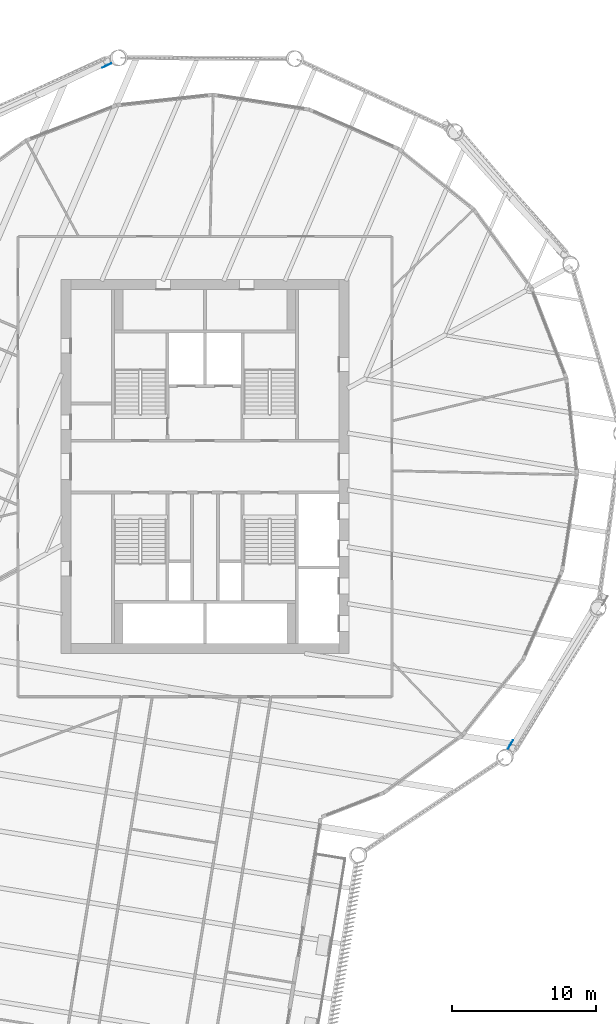
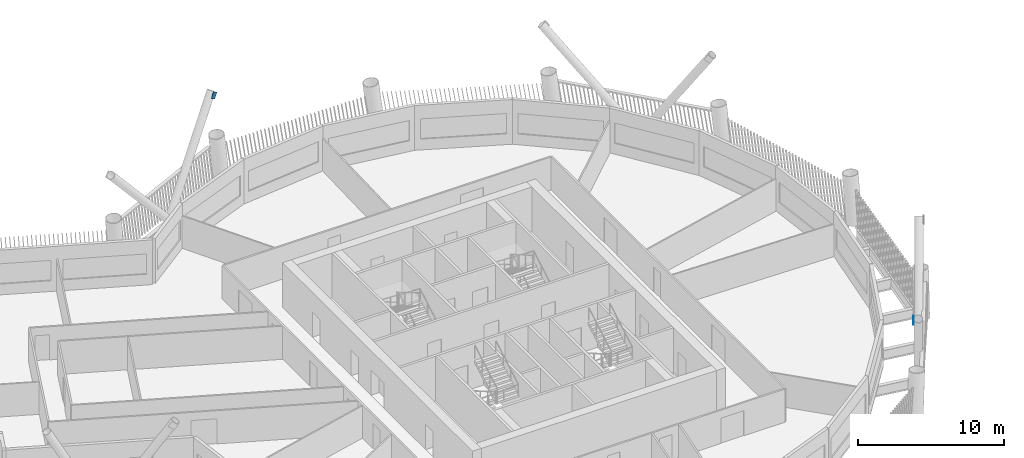
# One storey, part 13 of 22: 2 discrete accessories.
"""IFC4 building model written with IfcOpenShell, lengths in metres."""

from ifc_helpers import new_model, si_unit, direction, frame, origin, origin_2d, place, context, subcontext, project, spatial, rectangle, extrude, material, material_profile, profile_set, type_object, element, save


model = new_model("IFC4")

# Units and contexts
model_context = context("Model", 3, precision=1e-05, world=origin(), true_north=direction((0.0, 1.0)))
body_context = subcontext(model_context, "Body", "Model", "MODEL_VIEW")
ifc_project = project(units=[si_unit("LENGTHUNIT", "METRE"), si_unit("AREAUNIT", "SQUARE_METRE"), si_unit("VOLUMEUNIT", "CUBIC_METRE"), si_unit("PLANEANGLEUNIT", "RADIAN"), si_unit("MASSUNIT", "GRAM", prefix="KILO")], contexts=[model_context])

# Site, building, storey
site_placement = place(None, origin())
site = spatial("IfcSite", under=ifc_project, at=site_placement, CompositionType="ELEMENT")
building_placement = place(site_placement, origin())
building = spatial("IfcBuilding", under=site, at=building_placement, Name="Tarsis Ring Headquarters", CompositionType="ELEMENT")
storey_placement = place(building_placement, frame((0.0, 0.0, 186.60009765625)))
storey = spatial("IfcBuildingStorey", under=building, at=storey_placement, Name="L43", CompositionType="ELEMENT", Elevation=186.60009765625)

# Discrete accessories
ifc_material = material(Name="Structural steel S355", Category="steel")
ifc_material_profile = material_profile(ifc_material, rectangle(XDim=0.02490234375, YDim=0.5, at=origin_2d()), Name="PL 25x500")
ifc_profile_set = profile_set([ifc_material_profile], Name="Structural steel S355")
discrete_accessory_type = type_object("IfcDiscreteAccessoryType", Name="Gusset plate Exo brace 25", PredefinedType="BRACKET", material=ifc_profile_set)
discrete_accessory_1_placement = place(storey_placement, frame((21.1669921875, -19.438720703125, 7.7998046875), z_axis=(0.278416778964, 0.48014683109, -0.831831183465), x_axis=(-0.86508465613, 0.501625894196, 0.0)))
element("IfcDiscreteAccessory", 1, at=discrete_accessory_1_placement, inside=storey, type_object=discrete_accessory_type, Name="Gusset plate GP5", PredefinedType="BRACKET", context=body_context, shape_type="SweptSolid", body=[
    extrude(rectangle(XDim=0.02490234375, YDim=0.5, at=origin_2d()), origin(), (0.0, 0.0, 1.0), 0.499755859375),
])
discrete_accessory_2_placement = place(storey_placement, frame((-6.705078125, 27.945556640625, 7.7998046875), z_axis=(-0.499119062564, -0.243210658666, -0.831702312668), x_axis=(0.438042332615, -0.898954345246, 0.0)))
element("IfcDiscreteAccessory", 2, at=discrete_accessory_2_placement, inside=storey, type_object=discrete_accessory_type, Name="Gusset plate GP5", PredefinedType="BRACKET", context=body_context, shape_type="SweptSolid", body=[
    extrude(rectangle(XDim=0.02490234375, YDim=0.5, at=origin_2d()), origin(), (0.0, 0.0, 1.0), 0.5),
])

save(model, "model.ifc")
